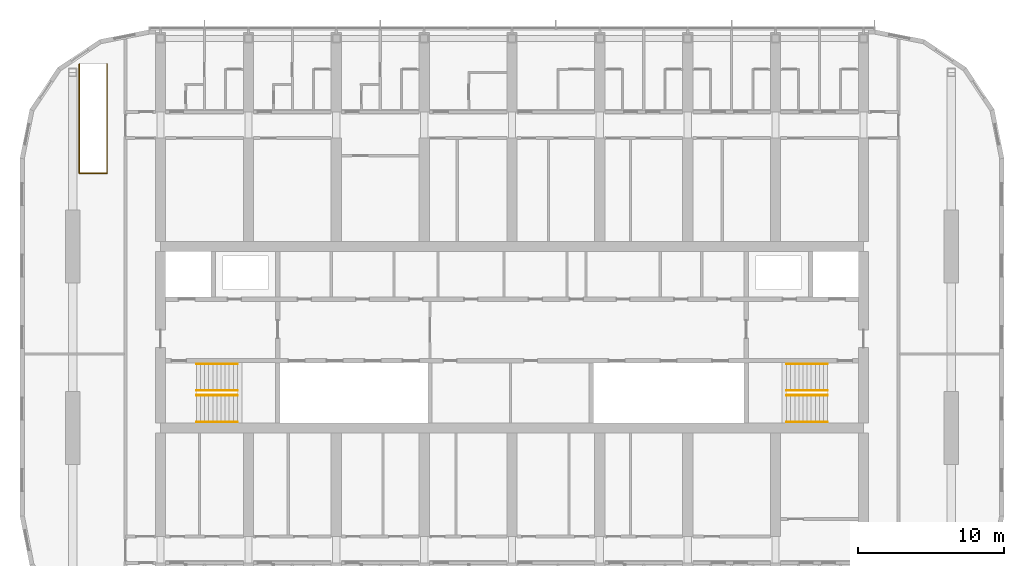
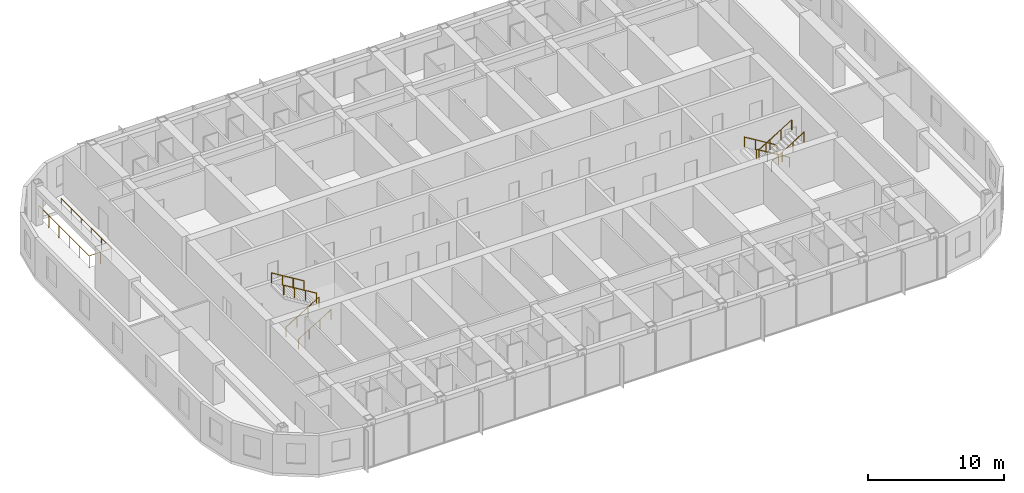
# One storey, part 24 of 24: 9 railings.
"""IFC4 building model written with IfcOpenShell, lengths in metres."""

from ifc_helpers import new_model, si_unit, direction, frame, origin, origin_2d, place, context, subcontext, project, spatial, circle, extrude, material, type_object, element, save


model = new_model("IFC4")

# Units and contexts
model_context = context("Model", 3, precision=1e-05, world=origin(), true_north=direction((0.0, 1.0)))
body_context = subcontext(model_context, "Body", "Model", "MODEL_VIEW")
ifc_project = project(units=[si_unit("LENGTHUNIT", "METRE"), si_unit("AREAUNIT", "SQUARE_METRE"), si_unit("VOLUMEUNIT", "CUBIC_METRE"), si_unit("PLANEANGLEUNIT", "RADIAN"), si_unit("MASSUNIT", "GRAM", prefix="KILO")], contexts=[model_context])

# Site, building, storey
site_placement = place(None, origin())
site = spatial("IfcSite", under=ifc_project, at=site_placement, CompositionType="ELEMENT")
building_placement = place(site_placement, origin())
building = spatial("IfcBuilding", under=site, at=building_placement, Name="Orbita Commons", CompositionType="ELEMENT")
storey_placement = place(building_placement, frame((0.0, 0.0, 235.300048828125)))
storey = spatial("IfcBuildingStorey", under=building, at=storey_placement, Name="L58", CompositionType="ELEMENT", Elevation=235.300048828125)

# Railings
ifc_material_1 = material(Name="Steel tube, painted", Category="steel")
railing_type_1 = type_object("IfcRailingType", Name="Stair handrail steel tube 900", PredefinedType="HANDRAIL", material=ifc_material_1)
for number, where, name in (
    (1, (20.449951171875, 28.0400390625, 0.17041015625), "Stair S1 handrail L58 flight 1"),
    (2, (20.449951171875, 26.2099609375, 0.17041015625), "Stair S1 handrail L58 flight 1"),
):
    element("IfcRailing", number, at=place(storey_placement, frame(where)), inside=storey, type_object=railing_type_1, Name=name, PredefinedType="HANDRAIL", context=body_context, shape_type="SweptSolid", body=[
        extrude(circle(Radius=0.02099609375, at=origin_2d()), frame((0.0, 0.0, 0.87890625), z_axis=(0.854169791009, 0.0, 0.51999420009), x_axis=(0.0, 1.0, 0.0)), (0.0, 0.0, 1.0), 3.278076171875),
        extrude(circle(Radius=0.02001953125, at=origin_2d()), origin(), (0.0, 0.0, 1.0), 0.85791015625),
        extrude(circle(Radius=0.02001953125, at=origin_2d()), frame((0.933349609375, 0.0, 0.568115234375)), (0.0, 0.0, 1.0), 0.85791015625),
        extrude(circle(Radius=0.02001953125, at=origin_2d()), frame((1.86669921875, 0.0, 1.136474609375)), (0.0, 0.0, 1.0), 0.85791015625),
        extrude(circle(Radius=0.02001953125, at=origin_2d()), frame((2.800048828125, 0.0, 1.70458984375)), (0.0, 0.0, 1.0), 0.85791015625),
    ])
for number, where, name in (
    (3, (23.25, 28.360107421875, 2.04541015625), "Stair S1 handrail L58 flight 2"),
    (4, (23.25, 30.18994140625, 2.04541015625), "Stair S1 handrail L58 flight 2"),
    (5, (63.550048828125, 28.360107421875, 0.17041015625), "Stair S2 handrail L58 flight 1"),
    (6, (63.550048828125, 30.18994140625, 0.17041015625), "Stair S2 handrail L58 flight 1"),
):
    element("IfcRailing", number, at=place(storey_placement, frame(where)), inside=storey, type_object=railing_type_1, Name=name, PredefinedType="HANDRAIL", context=body_context, shape_type="SweptSolid", body=[
        extrude(circle(Radius=0.02099609375, at=origin_2d()), frame((0.0, 0.0, 0.87890625), z_axis=(-0.854169791009, 0.0, 0.51999420009), x_axis=(0.0, -1.0, 0.0)), (0.0, 0.0, 1.0), 3.278076171875),
        extrude(circle(Radius=0.02001953125, at=origin_2d()), origin(), (0.0, 0.0, 1.0), 0.85791015625),
        extrude(circle(Radius=0.02001953125, at=origin_2d()), frame((-0.933349609375, 0.0, 0.568115234375)), (0.0, 0.0, 1.0), 0.85791015625),
        extrude(circle(Radius=0.02001953125, at=origin_2d()), frame((-1.86669921875, 0.0, 1.136474609375)), (0.0, 0.0, 1.0), 0.85791015625),
        extrude(circle(Radius=0.02001953125, at=origin_2d()), frame((-2.800048828125, 0.0, 1.70458984375)), (0.0, 0.0, 1.0), 0.85791015625),
    ])
for number, where, name in (
    (7, (60.75, 28.0400390625, 2.04541015625), "Stair S2 handrail L58 flight 2"),
    (8, (60.75, 26.2099609375, 2.04541015625), "Stair S2 handrail L58 flight 2"),
):
    element("IfcRailing", number, at=place(storey_placement, frame(where)), inside=storey, type_object=railing_type_1, Name=name, PredefinedType="HANDRAIL", context=body_context, shape_type="SweptSolid", body=[
        extrude(circle(Radius=0.02099609375, at=origin_2d()), frame((0.0, 0.0, 0.87890625), z_axis=(0.854169791009, 0.0, 0.51999420009), x_axis=(0.0, 1.0, 0.0)), (0.0, 0.0, 1.0), 3.278076171875),
        extrude(circle(Radius=0.02001953125, at=origin_2d()), origin(), (0.0, 0.0, 1.0), 0.85791015625),
        extrude(circle(Radius=0.02001953125, at=origin_2d()), frame((0.933349609375, 0.0, 0.568115234375)), (0.0, 0.0, 1.0), 0.85791015625),
        extrude(circle(Radius=0.02001953125, at=origin_2d()), frame((1.86669921875, 0.0, 1.136474609375)), (0.0, 0.0, 1.0), 0.85791015625),
        extrude(circle(Radius=0.02001953125, at=origin_2d()), frame((2.800048828125, 0.0, 1.70458984375)), (0.0, 0.0, 1.0), 0.85791015625),
    ])
ifc_material_2 = material(Name="Laminated glass on steel posts", Category="steel")
railing_type_2 = type_object("IfcRailingType", Name="Void guard, glass on steel posts 1100", PredefinedType="GUARDRAIL", material=ifc_material_2)
railing_placement = place(storey_placement, frame((12.449951171875, 50.64990234375, 0.0)))
element("IfcRailing", 9, at=railing_placement, inside=storey, type_object=railing_type_2, Name="Void guard L58", PredefinedType="GUARDRAIL", context=body_context, shape_type="SweptSolid", body=[
    extrude(circle(Radius=0.02490234375, at=origin_2d()), frame((0.0, 0.0, 1.0751953125), z_axis=(0.0, -1.0, 0.0), x_axis=(1.0, 0.0, 0.0)), (0.0, 0.0, 1.0), 7.449951171875),
    extrude(circle(Radius=0.02490234375, at=origin_2d()), frame((0.0, -7.449951171875, 1.0751953125), z_axis=(1.0, 0.0, 0.0), x_axis=(0.0, 1.0, 0.0)), (0.0, 0.0, 1.0), 1.900146484375),
    extrude(circle(Radius=0.02490234375, at=origin_2d()), frame((1.900146484375, -7.449951171875, 1.0751953125), z_axis=(0.0, 1.0, 0.0), x_axis=(-1.0, 0.0, 0.0)), (0.0, 0.0, 1.0), 7.449951171875),
    extrude(circle(Radius=0.02490234375, at=origin_2d()), origin(), (0.0, 0.0, 1.0), 1.050048828125),
    extrude(circle(Radius=0.02490234375, at=origin_2d()), frame((0.0, -1.489990234375, 0.0)), (0.0, 0.0, 1.0), 1.050048828125),
    extrude(circle(Radius=0.02490234375, at=origin_2d()), frame((0.0, -2.97998046875, 0.0)), (0.0, 0.0, 1.0), 1.050048828125),
    extrude(circle(Radius=0.02490234375, at=origin_2d()), frame((0.0, -4.469970703125, 0.0)), (0.0, 0.0, 1.0), 1.050048828125),
    extrude(circle(Radius=0.02490234375, at=origin_2d()), frame((0.0, -5.9599609375, 0.0)), (0.0, 0.0, 1.0), 1.050048828125),
    extrude(circle(Radius=0.02490234375, at=origin_2d()), frame((0.0, -7.449951171875, 0.0)), (0.0, 0.0, 1.0), 1.050048828125),
    extrude(circle(Radius=0.02490234375, at=origin_2d()), frame((0.9501953125, -7.449951171875, 0.0)), (0.0, 0.0, 1.0), 1.050048828125),
    extrude(circle(Radius=0.02490234375, at=origin_2d()), frame((1.900146484375, -7.449951171875, 0.0)), (0.0, 0.0, 1.0), 1.050048828125),
    extrude(circle(Radius=0.02490234375, at=origin_2d()), frame((1.900146484375, -5.9599609375, 0.0)), (0.0, 0.0, 1.0), 1.050048828125),
    extrude(circle(Radius=0.02490234375, at=origin_2d()), frame((1.900146484375, -4.469970703125, 0.0)), (0.0, 0.0, 1.0), 1.050048828125),
    extrude(circle(Radius=0.02490234375, at=origin_2d()), frame((1.900146484375, -2.97998046875, 0.0)), (0.0, 0.0, 1.0), 1.050048828125),
    extrude(circle(Radius=0.02490234375, at=origin_2d()), frame((1.900146484375, -1.489990234375, 0.0)), (0.0, 0.0, 1.0), 1.050048828125),
    extrude(circle(Radius=0.02490234375, at=origin_2d()), frame((1.900146484375, 0.0, 0.0)), (0.0, 0.0, 1.0), 1.050048828125),
])

save(model, "model.ifc")
